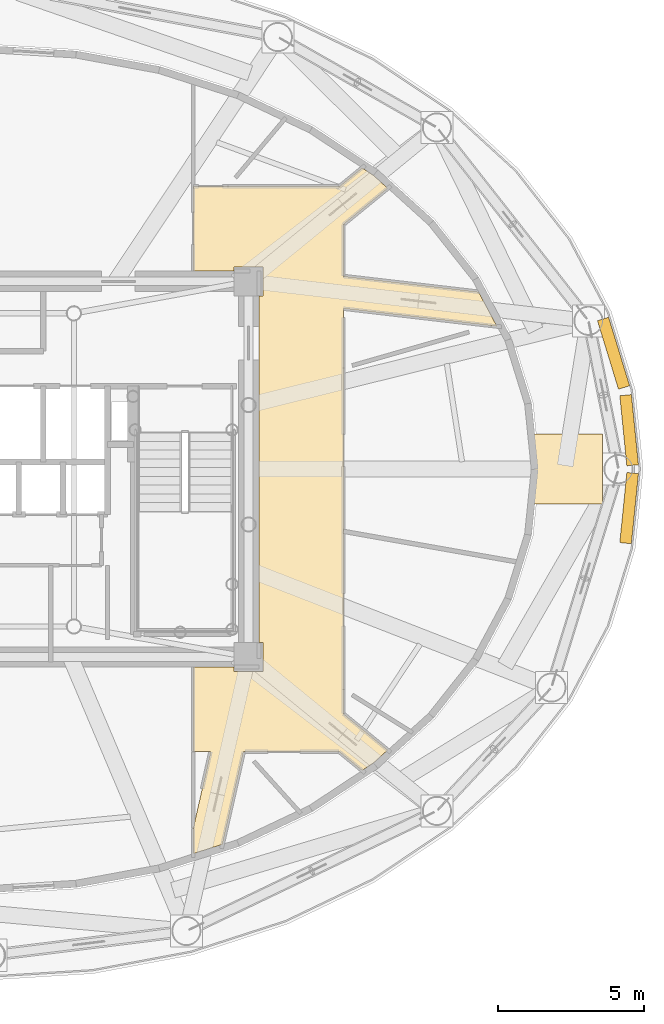
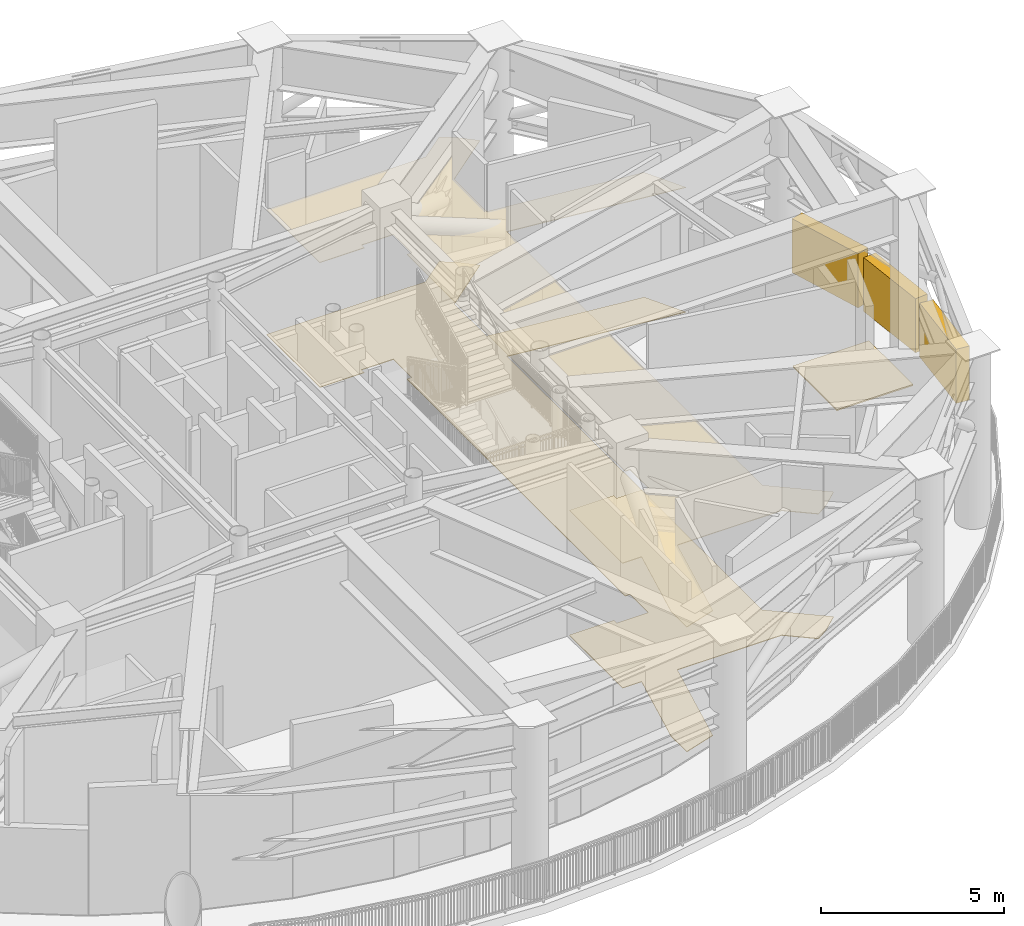
# One storey, part 17 of 17: 3 coverings, 3 shading devices.
"""IFC4 building model written with IfcOpenShell, lengths in metres."""

import ifcopenshell
import ifcopenshell.guid

model = None  # the IFC model being written
_history = None  # IfcOwnerHistory: only IFC2X3 demands one
_inside = {}  # id of a spatial element -> (the spatial element, [elements in it])
_under = {}  # id of a project, library or spatial element -> (it, [spatial elements below it])
_declared = {}  # id of a project -> (the project, [libraries it declares])
_typed = {}  # id of a type object -> (the type object, [elements of that type])
_made_of = {}  # id of a material, layer set ... -> (it, [elements and type objects made of it])


def new_model(schema):
    """Start an empty IFC model of exactly this schema.

    Asked for "IFC4X3", IfcOpenShell would pick the latest addendum, in which some entities
    have other attributes; the version numbers below select the first issue.
    IFC2X3 requires an IfcOwnerHistory on every rooted entity: one is made here for all.
    """
    global model, _history
    if schema == "IFC4X3":
        model = ifcopenshell.file(schema_version=(4, 3, 0, 0))
    else:
        model = ifcopenshell.file(schema=schema)
    _inside.clear()
    _under.clear()
    _declared.clear()
    _typed.clear()
    _made_of.clear()
    _history = None
    if model.schema == "IFC2X3":
        org = make("IfcOrganization", Name="unknown")
        user = make(
            "IfcPersonAndOrganization",
            ThePerson=make("IfcPerson", FamilyName="unknown"),
            TheOrganization=org,
        )
        app = make(
            "IfcApplication",
            ApplicationDeveloper=org,
            Version="unknown",
            ApplicationFullName="unknown",
            ApplicationIdentifier="unknown",
        )
        _history = make(
            "IfcOwnerHistory",
            OwningUser=user,
            OwningApplication=app,
            ChangeAction="ADDED",
            CreationDate=0,
        )
    return model


def make(cls, **values):
    """One entity of the class cls with the attributes given. An attribute that is None is left unset."""
    return model.create_entity(
        cls, **{name: value for name, value in values.items() if value is not None}
    )


def rooted(cls, **values):
    """An entity with a GlobalId (a new one), such as an element, a storey or a relation."""
    return make(cls, GlobalId=ifcopenshell.guid.new(), OwnerHistory=_history, **values)


def si_unit(unit_type, name, prefix=None):
    """IfcSIUnit, for example si_unit("LENGTHUNIT", "METRE", prefix="MILLI")."""
    return make("IfcSIUnit", UnitType=unit_type, Prefix=prefix, Name=name)


def assignment(units):
    """IfcUnitAssignment: the units of a project."""
    return None if units is None else make("IfcUnitAssignment", Units=units)


def point(xyz):
    """IfcCartesianPoint."""
    return None if xyz is None else make("IfcCartesianPoint", Coordinates=xyz)


def direction(xyz):
    """IfcDirection."""
    return None if xyz is None else make("IfcDirection", DirectionRatios=xyz)


def frame(location, z_axis=None, x_axis=None):
    """IfcAxis2Placement3D, a coordinate frame: its origin and axes. An axis left out is left unset."""
    return make(
        "IfcAxis2Placement3D",
        Location=point(location),
        Axis=direction(z_axis),
        RefDirection=direction(x_axis),
    )


def frame_2d(location, x_axis=None):
    """IfcAxis2Placement2D, a coordinate frame in the plane: its origin and x axis."""
    return make(
        "IfcAxis2Placement2D", Location=point(location), RefDirection=direction(x_axis)
    )


def origin():
    """The frame at (0, 0, 0) with its axes left unset."""
    return frame((0.0, 0.0, 0.0))


def origin_2d():
    """The frame at (0, 0) in the plane with its x axis left unset."""
    return frame_2d((0.0, 0.0))


def place(relative_to, where):
    """IfcLocalPlacement: puts the frame where relative to a parent placement (None: the world)."""
    return make(
        "IfcLocalPlacement", PlacementRelTo=relative_to, RelativePlacement=where
    )


def context(
    kind, dimensions, precision=None, world=None, true_north=None, identifier=None
):
    """IfcGeometricRepresentationContext, for example the 3D "Model" context."""
    return make(
        "IfcGeometricRepresentationContext",
        ContextIdentifier=identifier,
        ContextType=kind,
        CoordinateSpaceDimension=dimensions,
        Precision=precision,
        WorldCoordinateSystem=world,
        TrueNorth=true_north,
    )


def subcontext(parent, identifier, kind, view, scale=None):
    """IfcGeometricRepresentationSubContext, for example "Body" below "Model"."""
    return make(
        "IfcGeometricRepresentationSubContext",
        ContextIdentifier=identifier,
        ContextType=kind,
        ParentContext=parent,
        TargetScale=scale,
        TargetView=view,
    )


def project(units=None, contexts=None):
    """IfcProject with its units and contexts."""
    return rooted(
        "IfcProject",
        Name="project",
        RepresentationContexts=contexts,
        UnitsInContext=assignment(units),
    )


def spatial(cls, under=None, at=None, **own):
    """A site, building, storey or space (cls), placed at a placement, below another one or the project."""
    s = rooted(cls, ObjectPlacement=at, **own)
    if under is not None:
        _under.setdefault(under.id(), (under, []))[1].append(s)
    return s


def polyline(points):
    """IfcPolyline through the points."""
    return make("IfcPolyline", Points=[point(p) for p in points])


def profile(cls, at=None, kind="AREA", **sizes):
    """A parametric profile (cls). Its sizes go by their IFC names, for example OverallWidth=200.0."""
    return make(cls, ProfileType=kind, Position=at, **sizes)


def rectangle(**sizes):
    """IfcRectangleProfileDef."""
    return profile("IfcRectangleProfileDef", **sizes)


def outline(outer, holes=None, kind="AREA"):
    """IfcArbitraryClosedProfileDef: a profile drawn as a closed curve; with holes, ...WithVoids."""
    if holes is None:
        return make("IfcArbitraryClosedProfileDef", ProfileType=kind, OuterCurve=outer)
    return make(
        "IfcArbitraryProfileDefWithVoids",
        ProfileType=kind,
        OuterCurve=outer,
        InnerCurves=holes,
    )


def extrude(swept, where, along, depth):
    """IfcExtrudedAreaSolid: the profile swept, set in the frame where, extruded along a direction by depth."""
    return make(
        "IfcExtrudedAreaSolid",
        SweptArea=swept,
        Position=where,
        ExtrudedDirection=direction(along),
        Depth=depth,
    )


def shape(context_of_items, identifier, shape_type, items):
    """IfcShapeRepresentation: the items that make up one representation, for example the "Body"."""
    return make(
        "IfcShapeRepresentation",
        ContextOfItems=context_of_items,
        RepresentationIdentifier=identifier,
        RepresentationType=shape_type,
        Items=items,
    )


def source(mapping_origin, context_of_items, identifier, shape_type, items):
    """IfcRepresentationMap: a shape defined once, which mapped items show again and again."""
    return make(
        "IfcRepresentationMap",
        MappingOrigin=mapping_origin,
        MappedRepresentation=shape(context_of_items, identifier, shape_type, items),
    )


def transform(
    local_origin,
    x_axis=None,
    y_axis=None,
    z_axis=None,
    scale=None,
    scale2=None,
    scale3=None,
    uniform=True,
):
    """IfcCartesianTransformationOperator3D, or its non-uniform kind. x_axis, y_axis, z_axis: its Axis1, 2, 3."""
    if uniform:
        return make(
            "IfcCartesianTransformationOperator3D",
            Axis1=direction(x_axis),
            Axis2=direction(y_axis),
            LocalOrigin=point(local_origin),
            Scale=scale,
            Axis3=direction(z_axis),
        )
    return make(
        "IfcCartesianTransformationOperator3DnonUniform",
        Axis1=direction(x_axis),
        Axis2=direction(y_axis),
        LocalOrigin=point(local_origin),
        Scale=scale,
        Axis3=direction(z_axis),
        Scale2=scale2,
        Scale3=scale3,
    )


def mapped(mapping_source, mapping_target):
    """IfcMappedItem: shows the shape of a source again, moved by a transform."""
    return make(
        "IfcMappedItem", MappingSource=mapping_source, MappingTarget=mapping_target
    )


def material(Name=None, Category=None):
    """IfcMaterial."""
    return make("IfcMaterial", Name=Name, Category=Category)


def layer(
    of_material, thickness, ventilated=None, Name=None, Category=None, Priority=None
):
    """IfcMaterialLayer: one layer of a wall or slab, of a material (None: an air gap)."""
    return make(
        "IfcMaterialLayer",
        Material=of_material,
        LayerThickness=thickness,
        IsVentilated=ventilated,
        Name=Name,
        Category=Category,
        Priority=Priority,
    )


def layer_set(layers, Name=None):
    """IfcMaterialLayerSet."""
    return make("IfcMaterialLayerSet", MaterialLayers=layers, LayerSetName=Name)


def made_of(thing, what):
    """Note that an element or type object is made of a material, layer set ...; save() writes the relation."""
    if what is not None:
        _made_of.setdefault(what.id(), (what, []))[1].append(thing)
    return thing


def type_object(cls, material=None, **own):
    """A type object (cls), such as IfcWallType, which elements share."""
    return made_of(rooted(cls, **own), material)


def element(
    cls,
    number,
    at=None,
    inside=None,
    cuts=None,
    type_object=None,
    material=None,
    context=None,
    identifier="Body",
    shape_type=None,
    held_by="IfcProductDefinitionShape",
    body=None,
    shapes=None,
    **own,
):
    """One element of the class cls, such as IfcWall. Its Tag is "e" and its number.

    at: its placement. inside: the storey or other place that contains it. cuts: it is an
    opening in that element (IfcRelVoidsElement). A single representation is given by context,
    identifier, shape_type and body (its items); several are given by shapes. held_by: the class
    of the entity that holds the representations. save() writes the other relations.
    """
    e = rooted(cls, Tag="e%d" % number, ObjectPlacement=at, **own)
    if body is not None:
        shapes = [shape(context, identifier, shape_type, body)]
    if shapes is not None:
        e.Representation = make(held_by, Representations=shapes)
    if inside is not None:
        _inside.setdefault(inside.id(), (inside, []))[1].append(e)
    if cuts is not None:
        rooted(
            "IfcRelVoidsElement", RelatingBuildingElement=cuts, RelatedOpeningElement=e
        )
    if type_object is not None:
        _typed.setdefault(type_object.id(), (type_object, []))[1].append(e)
    return made_of(e, material)


def aggregate(whole, parts):
    """IfcRelAggregates: a whole, such as a stair, and the parts it consists of."""
    return rooted("IfcRelAggregates", RelatingObject=whole, RelatedObjects=parts)


def save(model, path):
    """Write the relations noted so far, then the file.

    IfcRelAggregates (storeys below a building ...), IfcRelContainedInSpatialStructure (elements
    in a storey), IfcRelDefinesByType, IfcRelAssociatesMaterial and IfcRelDeclares: one each for
    every whole, place, type object, material and project.
    """
    for whole, parts in _under.values():
        aggregate(whole, parts)
    for where, things in _inside.values():
        rooted(
            "IfcRelContainedInSpatialStructure",
            RelatedElements=things,
            RelatingStructure=where,
        )
    for kind, things in _typed.values():
        rooted("IfcRelDefinesByType", RelatedObjects=things, RelatingType=kind)
    for what, things in _made_of.values():
        rooted("IfcRelAssociatesMaterial", RelatedObjects=things, RelatingMaterial=what)
    for by, libraries in _declared.values():
        rooted("IfcRelDeclares", RelatingContext=by, RelatedDefinitions=libraries)
    model.write(path)


model = new_model("IFC4")

# Units and contexts
model_context = context("Model", 3, precision=1e-05, world=origin(), true_north=direction((0.0, 1.0)))
body_context = subcontext(model_context, "Body", "Model", "MODEL_VIEW")
ifc_project = project(units=[si_unit("LENGTHUNIT", "METRE"), si_unit("AREAUNIT", "SQUARE_METRE"), si_unit("VOLUMEUNIT", "CUBIC_METRE"), si_unit("PLANEANGLEUNIT", "RADIAN"), si_unit("MASSUNIT", "GRAM", prefix="KILO")], contexts=[model_context])

# Site, building, storey
site_placement = place(None, origin())
site = spatial("IfcSite", under=ifc_project, at=site_placement, CompositionType="ELEMENT")
building_placement = place(site_placement, origin())
building = spatial("IfcBuilding", under=site, at=building_placement, Name="Linh Dai School and Residence Tower", CompositionType="ELEMENT")
storey_placement = place(building_placement, frame((0.0, 0.0, 318.0)))
storey = spatial("IfcBuildingStorey", under=building, at=storey_placement, Name="L79", CompositionType="ELEMENT", Elevation=318.0)

# Coverings
ifc_material_1 = material(Name="Mineral Fibre Acoustic Suspended Ceiling", Category="masonry")
ifc_layer_1 = layer(ifc_material_1, 0.02001953125)
ifc_layer_set_1 = layer_set([ifc_layer_1], Name="Mineral Fibre Acoustic Suspended Ceiling")
covering_type_1 = type_object("IfcCoveringType", Name="COV-CEIL-AC-20", PredefinedType="CEILING", material=ifc_layer_set_1)
covering_1_placement = place(storey_placement, frame((0.0, 0.0, 4.14990234375)))
element("IfcCovering", 1, at=covering_1_placement, inside=storey, type_object=covering_type_1, Name="L79 Plant and Refuge Access Corridor East Suspended Ceiling", PredefinedType="CEILING", context=body_context, shape_type="SweptSolid", body=[
    extrude(outline(polyline([(44.675537109375, 17.300048828125), (43.953125, 14.120361328125), (42.949951171875, 13.799072265625), (42.949951171875, 14.670166015625), (43.547607421875, 17.300048828125), (42.949951171875, 17.300048828125), (42.949951171875, 20.199951171875), (44.35009765625, 20.199951171875), (44.35009765625, 20.050048828125), (45.35009765625, 20.050048828125), (45.35009765625, 21.050048828125), (45.199951171875, 21.050048828125), (45.199951171875, 32.949951171875), (45.35009765625, 32.949951171875), (45.35009765625, 33.949951171875), (44.35009765625, 33.949951171875), (44.35009765625, 33.800048828125), (42.949951171875, 33.800048828125), (42.949951171875, 36.699951171875), (47.957763671875, 36.699951171875), (48.74609375, 37.34423828125), (49.140625, 37.08349609375), (49.626708984375, 36.643310546875), (48.10009765625, 35.3955078125), (48.10009765625, 33.626220703125), (52.743896484375, 33.086669921875), (53.37646484375, 31.90576171875), (48.10009765625, 32.518798828125), (48.10009765625, 18.6044921875), (49.626708984375, 17.356689453125), (49.140625, 16.91650390625), (48.74609375, 16.65576171875), (47.957763671875, 17.300048828125), (44.675537109375, 17.300048828125)])), origin(), (0.0, 0.0, 1.0), 0.02001953125),
])
ifc_material_2 = material(Name="Polished Terrazzo Floor Finish", Category="masonry")
ifc_layer_2 = layer(ifc_material_2, 0.02490234375)
ifc_layer_set_2 = layer_set([ifc_layer_2], Name="Polished Terrazzo Floor Finish")
covering_type_2 = type_object("IfcCoveringType", Name="COV-FLR-TRZ-25", PredefinedType="FLOORING", material=ifc_layer_set_2)
covering_2_placement = place(storey_placement, origin())
element("IfcCovering", 2, at=covering_2_placement, inside=storey, type_object=covering_type_2, Name="L79 Plant and Refuge Access Corridor East Floor Finish", PredefinedType="FLOORING", context=body_context, shape_type="SweptSolid", body=[
    extrude(outline(polyline([(44.675537109375, 17.300048828125), (43.953125, 14.120361328125), (42.949951171875, 13.799072265625), (42.949951171875, 14.670166015625), (43.547607421875, 17.300048828125), (42.949951171875, 17.300048828125), (42.949951171875, 20.199951171875), (44.35009765625, 20.199951171875), (44.35009765625, 20.050048828125), (45.35009765625, 20.050048828125), (45.35009765625, 21.050048828125), (45.199951171875, 21.050048828125), (45.199951171875, 32.949951171875), (45.35009765625, 32.949951171875), (45.35009765625, 33.949951171875), (44.35009765625, 33.949951171875), (44.35009765625, 33.800048828125), (42.949951171875, 33.800048828125), (42.949951171875, 36.699951171875), (47.957763671875, 36.699951171875), (48.74609375, 37.34423828125), (49.140625, 37.08349609375), (49.626708984375, 36.643310546875), (48.10009765625, 35.3955078125), (48.10009765625, 33.626220703125), (52.743896484375, 33.086669921875), (53.37646484375, 31.90576171875), (48.10009765625, 32.518798828125), (48.10009765625, 18.6044921875), (49.626708984375, 17.356689453125), (49.140625, 16.91650390625), (48.74609375, 16.65576171875), (47.957763671875, 17.300048828125), (44.675537109375, 17.300048828125)])), origin(), (0.0, 0.0, 1.0), 0.02001953125),
])
ifc_material_3 = material(Name="TPO Insulated Waterproofing Roof Membrane", Category="masonry")
ifc_layer_3 = layer(ifc_material_3, 0.044921875)
ifc_layer_set_3 = layer_set([ifc_layer_3], Name="TPO Insulated Waterproofing Roof Membrane")
covering_type_3 = type_object("IfcCoveringType", Name="COV-ROOF-MEM-45", PredefinedType="ROOFING", material=ifc_layer_set_3)
covering_3_placement = place(storey_placement, origin())
element("IfcCovering", 3, at=covering_3_placement, inside=storey, type_object=covering_type_3, Name="L79 Deck Waterproofing Membrane Zone", PredefinedType="ROOFING", context=body_context, shape_type="SweptSolid", body=[
    extrude(outline(polyline([(54.60009765625, 25.800048828125), (57.0, 25.800048828125), (57.0, 28.199951171875), (54.60009765625, 28.199951171875), (54.60009765625, 25.800048828125)])), origin(), (0.0, 0.0, 1.0), 0.044921875),
])

# Shading devices
ifc_material_4 = material(Name="Terracotta Aerofoil Louvre", Category="masonry")
ifc_layer_4 = layer(ifc_material_4, 0.14990234375)
ifc_layer_set_4 = layer_set([ifc_layer_4], Name="Terracotta Aerofoil Louvre")
shading_device_type = type_object("IfcShadingDeviceType", Name="SHD-JAL-400", PredefinedType="JALOUSIE", material=ifc_layer_set_4)
shared_shape_1 = source(origin(), body_context, "Body", "SweptSolid", [
    extrude(rectangle(XDim=2.419189453125, YDim=0.39990234375, at=origin_2d()), origin(), (0.0, 0.0, 1.0), 1.800048828125),
])
for number, where, z_axis, x_axis, name in (
    (4, (57.91552734375, 28.337158203125, 0.0), (0.0, 0.0, 1.0), (0.100014567014, -0.994985972959, 0.0), "L79 Wind Turbine Aerodynamic Louvre 01"),
    (5, (57.91552734375, 25.662841796875, 0.0), (0.0, 0.0, 1.0), (-0.100014567014, -0.994985972959, 0.0), "L79 Wind Turbine Aerodynamic Louvre 40"),
):
    element("IfcShadingDevice", number, at=place(storey_placement, frame(where, z_axis=z_axis, x_axis=x_axis)), inside=storey, type_object=shading_device_type, Name=name, PredefinedType="JALOUSIE", context=body_context, shape_type="MappedRepresentation", body=[
        mapped(shared_shape_1, transform((0.0, 0.0, 0.0), x_axis=(1.0, 0.0, 0.0), y_axis=(0.0, 1.0, 0.0), z_axis=(0.0, 0.0, 1.0), scale=1.0)),
    ])
shared_shape_2 = source(origin(), body_context, "Body", "SweptSolid", [
    extrude(rectangle(XDim=2.45849609375, YDim=0.39990234375, at=origin_2d()), origin(), (0.0, 0.0, 1.0), 1.800048828125),
])
shading_device_placement = place(storey_placement, frame((57.380859375, 30.980224609375, 0.0), z_axis=(0.0, 0.0, 1.0), x_axis=(0.293156561718, -0.956064448833, 0.0)))
element("IfcShadingDevice", 6, at=shading_device_placement, inside=storey, type_object=shading_device_type, Name="L79 Wind Turbine Aerodynamic Louvre 02", PredefinedType="JALOUSIE", context=body_context, shape_type="MappedRepresentation", body=[
    mapped(shared_shape_2, transform((0.0, 0.0, 0.0), x_axis=(1.0, 0.0, 0.0), y_axis=(0.0, 1.0, 0.0), z_axis=(0.0, 0.0, 1.0), scale=1.0)),
])

save(model, "model.ifc")
